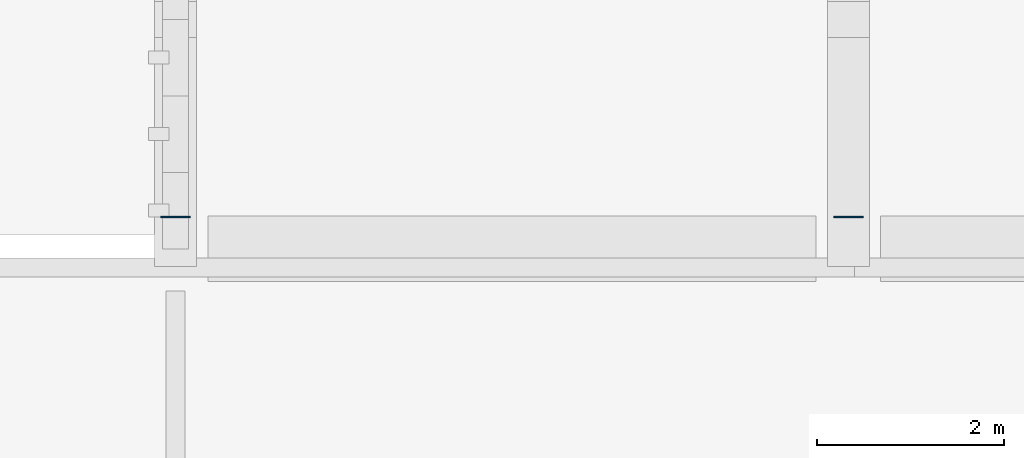
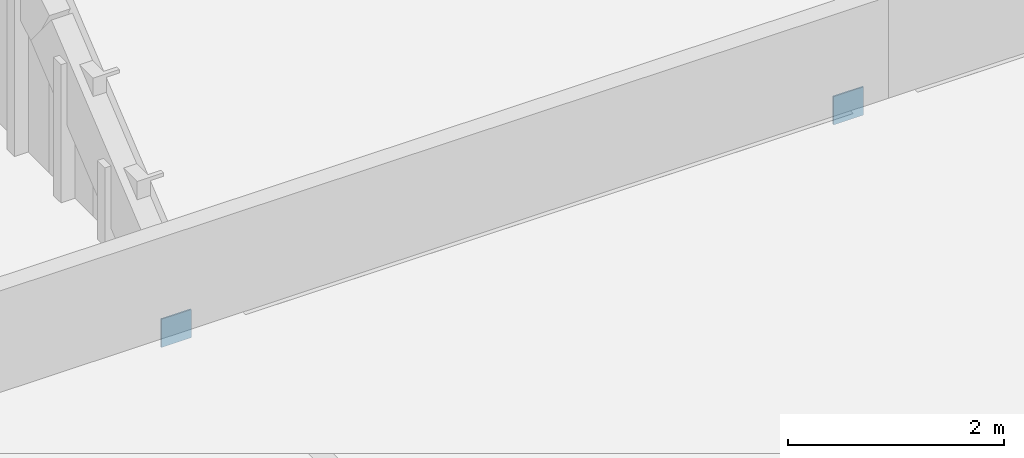
# One storey, part 40 of 71: 2 plates.
"""IFC4 building model written with IfcOpenShell, lengths in metres."""

from ifc_helpers import new_model, si_unit, direction, frame, origin, origin_2d, place, context, subcontext, project, spatial, rectangle, extrude, material, layer, layer_set, type_object, element, save


model = new_model("IFC4")

# Units and contexts
model_context = context("Model", 3, precision=1e-05, world=origin(), true_north=direction((0.0, 1.0)))
body_context = subcontext(model_context, "Body", "Model", "MODEL_VIEW")
ifc_project = project(units=[si_unit("LENGTHUNIT", "METRE"), si_unit("AREAUNIT", "SQUARE_METRE"), si_unit("VOLUMEUNIT", "CUBIC_METRE"), si_unit("PLANEANGLEUNIT", "RADIAN"), si_unit("MASSUNIT", "GRAM", prefix="KILO")], contexts=[model_context])

# Site, building, storey
site_placement = place(None, origin())
site = spatial("IfcSite", under=ifc_project, at=site_placement, CompositionType="ELEMENT")
building_placement = place(site_placement, origin())
building = spatial("IfcBuilding", under=site, at=building_placement, Name="Sardonyx Promenade Sports Hall", CompositionType="ELEMENT")
storey_placement = place(building_placement, frame((0.0, 0.0, 16.0)))
storey = spatial("IfcBuildingStorey", under=building, at=storey_placement, Name="L03", CompositionType="ELEMENT", Elevation=16.0)

# Plates
ifc_material = material(Name="Steel S355JR", Category="steel")
ifc_layer = layer(ifc_material, 0.01611328125)
ifc_layer_set = layer_set([ifc_layer], Name="Plt_EndCap_EC2")
plate_type = type_object("IfcPlateType", Name="Plt_EndCap_EC2", PredefinedType="USERDEFINED", material=ifc_layer_set)
for number, where, z_axis, x_axis, name in (
    (1, (115.199951171875, 50.741943359375, -0.60986328125), (0.0, 0.0, 1.0), (1.0, 0.0, 0.0), "Tie-rod end-cap plate V2 17 S"),
    (2, (122.39990234375, 50.741943359375, -0.60986328125), (0.0, 0.0, 1.0), (1.0, 0.0, 0.0), "Tie-rod end-cap plate V2 18 S"),
):
    element("IfcPlate", number, at=place(storey_placement, frame(where, z_axis=z_axis, x_axis=x_axis)), inside=storey, type_object=plate_type, Name=name, ObjectType="END CAP PLATE", PredefinedType="USERDEFINED", context=body_context, shape_type="SweptSolid", body=[
        extrude(rectangle(XDim=0.320068359375, YDim=0.01611328125, at=origin_2d()), origin(), (0.0, 0.0, 1.0), 0.320068359375),
    ])

save(model, "model.ifc")
